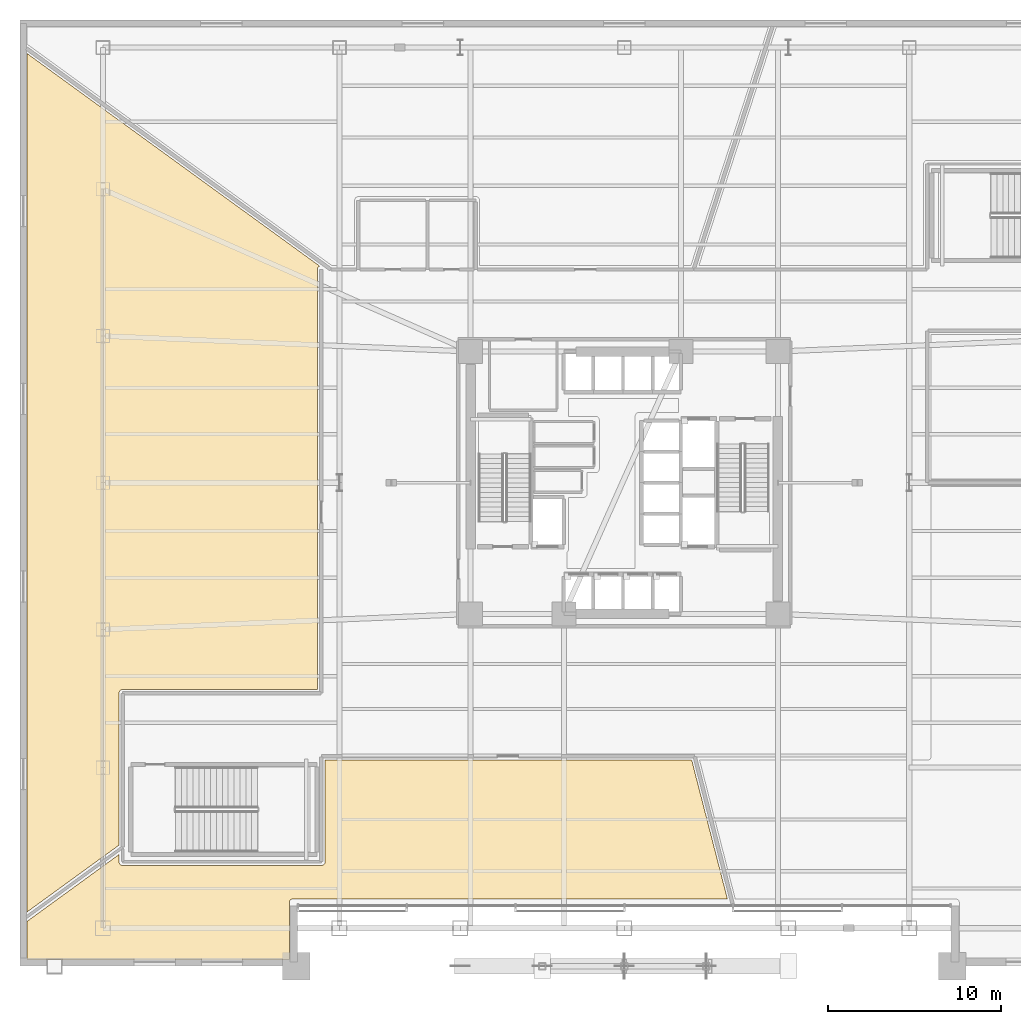
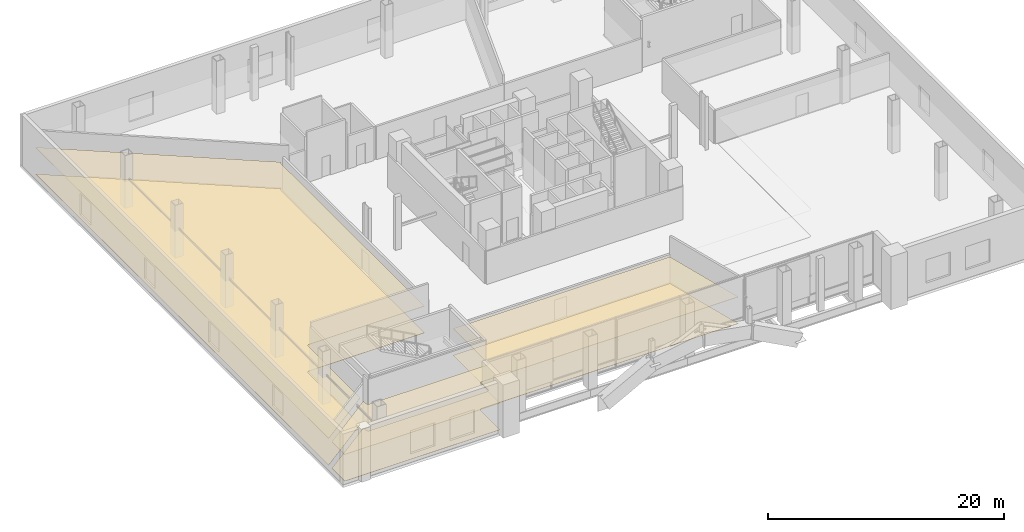
# One storey, part 14 of 19: 4 coverings.
"""IFC4 building model written with IfcOpenShell, lengths in metres."""

from ifc_helpers import new_model, si_unit, direction, frame, origin, place, context, subcontext, project, spatial, polyline, outline, extrude, material, layer, layer_set, type_object, element, save


model = new_model("IFC4")

# Units and contexts
model_context = context("Model", 3, precision=1e-05, world=origin(), true_north=direction((0.0, 1.0)))
body_context = subcontext(model_context, "Body", "Model", "MODEL_VIEW")
ifc_project = project(units=[si_unit("LENGTHUNIT", "METRE"), si_unit("AREAUNIT", "SQUARE_METRE"), si_unit("VOLUMEUNIT", "CUBIC_METRE"), si_unit("PLANEANGLEUNIT", "RADIAN"), si_unit("MASSUNIT", "GRAM", prefix="KILO")], contexts=[model_context])

# Site, building, storey
site_placement = place(None, origin())
site = spatial("IfcSite", under=ifc_project, at=site_placement, CompositionType="ELEMENT")
building_placement = place(site_placement, origin())
building = spatial("IfcBuilding", under=site, at=building_placement, Name="Tharavind Bronze Gate", CompositionType="ELEMENT")
storey_placement = place(building_placement, frame((0.0, 0.0, 11.0)))
storey = spatial("IfcBuildingStorey", under=building, at=storey_placement, Name="L02", CompositionType="ELEMENT", Elevation=11.0)

# Coverings
ifc_material_1 = material(Name="Perforated Bronze Acoustic Panel", Category="bronze")
ifc_layer_1 = layer(ifc_material_1, 0.044921875)
ifc_layer_set_1 = layer_set([ifc_layer_1], Name="Perforated Bronze Acoustic Panel")
covering_type_1 = type_object("IfcCoveringType", Name="ACOUSTIC BRONZE BAFFLE CEILING", PredefinedType="CEILING", material=ifc_layer_set_1)
covering_1_placement = place(storey_placement, frame((0.0, 0.0, 2.75)))
element("IfcCovering", 1, at=covering_1_placement, inside=storey, type_object=covering_type_1, Name="L02-PD-03 suspended ceiling", PredefinedType="CEILING", context=body_context, shape_type="SweptSolid", body=[
    extrude(outline(polyline([(-29.27001953125, -20.993896484375), (-29.27001953125, -12.20068359375), (-29.269775390625, -12.189697265625), (-29.269775390625, -12.189208984375), (-29.267578125, -12.167724609375), (-29.263427734375, -12.146484375), (-29.257080078125, -12.1259765625), (-29.248779296875, -12.10595703125), (-29.23876953125, -12.0869140625), (-29.226806640625, -12.069091796875), (-29.212890625, -12.05224609375), (-29.19775390625, -12.037109375), (-29.180908203125, -12.023193359375), (-29.1630859375, -12.01123046875), (-29.14404296875, -12.001220703125), (-29.1240234375, -11.992919921875), (-29.103515625, -11.986572265625), (-29.082275390625, -11.982421875), (-29.060791015625, -11.980224609375), (-29.060302734375, -11.980224609375), (-29.04931640625, -11.97998046875), (-17.77001953125, -11.97998046875), (-17.77001953125, 12.349365234375), (-17.769775390625, 12.360107421875), (-17.769775390625, 12.36083984375), (-17.767578125, 12.38232421875), (-17.763427734375, 12.4033203125), (-17.757080078125, 12.424072265625), (-17.748779296875, 12.444091796875), (-17.73876953125, 12.463134765625), (-17.726806640625, 12.48095703125), (-17.712890625, 12.497802734375), (-17.69775390625, 12.512939453125), (-17.680908203125, 12.526611328125), (-17.6630859375, 12.538818359375), (-17.645263671875, 12.548095703125), (-34.60009765625, 24.866455078125), (-34.60009765625, -24.866455078125), (-29.27001953125, -20.993896484375)])), origin(), (0.0, 0.0, 1.0), 0.034912109375),
])
covering_2_placement = place(storey_placement, frame((0.0, 0.0, 2.75)))
element("IfcCovering", 2, at=covering_2_placement, inside=storey, type_object=covering_type_1, Name="L02-PD-04 suspended ceiling", PredefinedType="CEILING", context=body_context, shape_type="SweptSolid", body=[
    extrude(outline(polyline([(-19.39990234375, -27.60009765625), (-19.39990234375, -24.320556640625), (-19.399658203125, -24.309814453125), (-19.399658203125, -24.30908203125), (-19.397705078125, -24.28759765625), (-19.393310546875, -24.2666015625), (-19.38720703125, -24.245849609375), (-19.37890625, -24.22607421875), (-19.36865234375, -24.206787109375), (-19.356689453125, -24.18896484375), (-19.343017578125, -24.17236328125), (-19.32763671875, -24.156982421875), (-19.31103515625, -24.143310546875), (-19.293212890625, -24.13134765625), (-19.27392578125, -24.12109375), (-19.254150390625, -24.11279296875), (-19.2333984375, -24.106689453125), (-19.21240234375, -24.102294921875), (-19.19091796875, -24.100341796875), (-19.190185546875, -24.100341796875), (-19.179443359375, -24.10009765625), (5.969482421875, -24.10009765625), (3.90478515625, -16.070068359375), (-17.330078125, -16.070068359375), (-17.330078125, -21.949462890625), (-17.330322265625, -21.960205078125), (-17.330322265625, -21.960693359375), (-17.33251953125, -21.982421875), (-17.336669921875, -22.00341796875), (-17.343017578125, -22.024169921875), (-17.351318359375, -22.0439453125), (-17.361328125, -22.06298828125), (-17.373291015625, -22.0810546875), (-17.386962890625, -22.09765625), (-17.40234375, -22.113037109375), (-17.4189453125, -22.126708984375), (-17.43701171875, -22.138671875), (-17.4560546875, -22.148681640625), (-17.475830078125, -22.156982421875), (-17.49658203125, -22.163330078125), (-17.517578125, -22.16748046875), (-17.539306640625, -22.169677734375), (-17.539794921875, -22.169677734375), (-17.550537109375, -22.169921875), (-29.04931640625, -22.169921875), (-29.060302734375, -22.169677734375), (-29.060791015625, -22.169677734375), (-29.082275390625, -22.16748046875), (-29.103515625, -22.163330078125), (-29.1240234375, -22.156982421875), (-29.14404296875, -22.148681640625), (-29.1630859375, -22.138671875), (-29.180908203125, -22.126708984375), (-29.19775390625, -22.113037109375), (-29.212890625, -22.09765625), (-29.226806640625, -22.0810546875), (-29.23876953125, -22.06298828125), (-29.248779296875, -22.0439453125), (-29.257080078125, -22.024169921875), (-29.263427734375, -22.00341796875), (-29.267578125, -21.982421875), (-29.269775390625, -21.960693359375), (-29.269775390625, -21.960205078125), (-29.27001953125, -21.949462890625), (-29.27001953125, -21.537841796875), (-34.60009765625, -25.410400390625), (-34.60009765625, -27.60009765625), (-19.39990234375, -27.60009765625)])), origin(), (0.0, 0.0, 1.0), 0.034912109375),
])
ifc_material_2 = material(Name="Engineered Oak & Carpet Tile", Category="wood")
ifc_layer_2 = layer(ifc_material_2, 0.02490234375)
ifc_layer_set_2 = layer_set([ifc_layer_2], Name="Engineered Oak & Carpet Tile")
covering_type_2 = type_object("IfcCoveringType", Name="ENGINEERED TIMBER FLOORING", PredefinedType="FLOORING", material=ifc_layer_set_2)
covering_3_placement = place(storey_placement, origin())
element("IfcCovering", 3, at=covering_3_placement, inside=storey, type_object=covering_type_2, Name="L02-PD-03 floor finish", PredefinedType="FLOORING", context=body_context, shape_type="SweptSolid", body=[
    extrude(outline(polyline([(-29.27001953125, -20.993896484375), (-29.27001953125, -12.20068359375), (-29.269775390625, -12.189697265625), (-29.269775390625, -12.189208984375), (-29.267578125, -12.167724609375), (-29.263427734375, -12.146484375), (-29.257080078125, -12.1259765625), (-29.248779296875, -12.10595703125), (-29.23876953125, -12.0869140625), (-29.226806640625, -12.069091796875), (-29.212890625, -12.05224609375), (-29.19775390625, -12.037109375), (-29.180908203125, -12.023193359375), (-29.1630859375, -12.01123046875), (-29.14404296875, -12.001220703125), (-29.1240234375, -11.992919921875), (-29.103515625, -11.986572265625), (-29.082275390625, -11.982421875), (-29.060791015625, -11.980224609375), (-29.060302734375, -11.980224609375), (-29.04931640625, -11.97998046875), (-17.77001953125, -11.97998046875), (-17.77001953125, 12.349365234375), (-17.769775390625, 12.360107421875), (-17.769775390625, 12.36083984375), (-17.767578125, 12.38232421875), (-17.763427734375, 12.4033203125), (-17.757080078125, 12.424072265625), (-17.748779296875, 12.444091796875), (-17.73876953125, 12.463134765625), (-17.726806640625, 12.48095703125), (-17.712890625, 12.497802734375), (-17.69775390625, 12.512939453125), (-17.680908203125, 12.526611328125), (-17.6630859375, 12.538818359375), (-17.645263671875, 12.548095703125), (-34.60009765625, 24.866455078125), (-34.60009765625, -24.866455078125), (-29.27001953125, -20.993896484375)])), origin(), (0.0, 0.0, 1.0), 0.02490234375),
])
covering_4_placement = place(storey_placement, origin())
element("IfcCovering", 4, at=covering_4_placement, inside=storey, type_object=covering_type_2, Name="L02-PD-04 floor finish", PredefinedType="FLOORING", context=body_context, shape_type="SweptSolid", body=[
    extrude(outline(polyline([(-19.39990234375, -27.60009765625), (-19.39990234375, -24.320556640625), (-19.399658203125, -24.309814453125), (-19.399658203125, -24.30908203125), (-19.397705078125, -24.28759765625), (-19.393310546875, -24.2666015625), (-19.38720703125, -24.245849609375), (-19.37890625, -24.22607421875), (-19.36865234375, -24.206787109375), (-19.356689453125, -24.18896484375), (-19.343017578125, -24.17236328125), (-19.32763671875, -24.156982421875), (-19.31103515625, -24.143310546875), (-19.293212890625, -24.13134765625), (-19.27392578125, -24.12109375), (-19.254150390625, -24.11279296875), (-19.2333984375, -24.106689453125), (-19.21240234375, -24.102294921875), (-19.19091796875, -24.100341796875), (-19.190185546875, -24.100341796875), (-19.179443359375, -24.10009765625), (5.969482421875, -24.10009765625), (3.90478515625, -16.070068359375), (-17.330078125, -16.070068359375), (-17.330078125, -21.949462890625), (-17.330322265625, -21.960205078125), (-17.330322265625, -21.960693359375), (-17.33251953125, -21.982421875), (-17.336669921875, -22.00341796875), (-17.343017578125, -22.024169921875), (-17.351318359375, -22.0439453125), (-17.361328125, -22.06298828125), (-17.373291015625, -22.0810546875), (-17.386962890625, -22.09765625), (-17.40234375, -22.113037109375), (-17.4189453125, -22.126708984375), (-17.43701171875, -22.138671875), (-17.4560546875, -22.148681640625), (-17.475830078125, -22.156982421875), (-17.49658203125, -22.163330078125), (-17.517578125, -22.16748046875), (-17.539306640625, -22.169677734375), (-17.539794921875, -22.169677734375), (-17.550537109375, -22.169921875), (-29.04931640625, -22.169921875), (-29.060302734375, -22.169677734375), (-29.060791015625, -22.169677734375), (-29.082275390625, -22.16748046875), (-29.103515625, -22.163330078125), (-29.1240234375, -22.156982421875), (-29.14404296875, -22.148681640625), (-29.1630859375, -22.138671875), (-29.180908203125, -22.126708984375), (-29.19775390625, -22.113037109375), (-29.212890625, -22.09765625), (-29.226806640625, -22.0810546875), (-29.23876953125, -22.06298828125), (-29.248779296875, -22.0439453125), (-29.257080078125, -22.024169921875), (-29.263427734375, -22.00341796875), (-29.267578125, -21.982421875), (-29.269775390625, -21.960693359375), (-29.269775390625, -21.960205078125), (-29.27001953125, -21.949462890625), (-29.27001953125, -21.537841796875), (-34.60009765625, -25.410400390625), (-34.60009765625, -27.60009765625), (-19.39990234375, -27.60009765625)])), origin(), (0.0, 0.0, 1.0), 0.02490234375),
])

save(model, "model.ifc")
